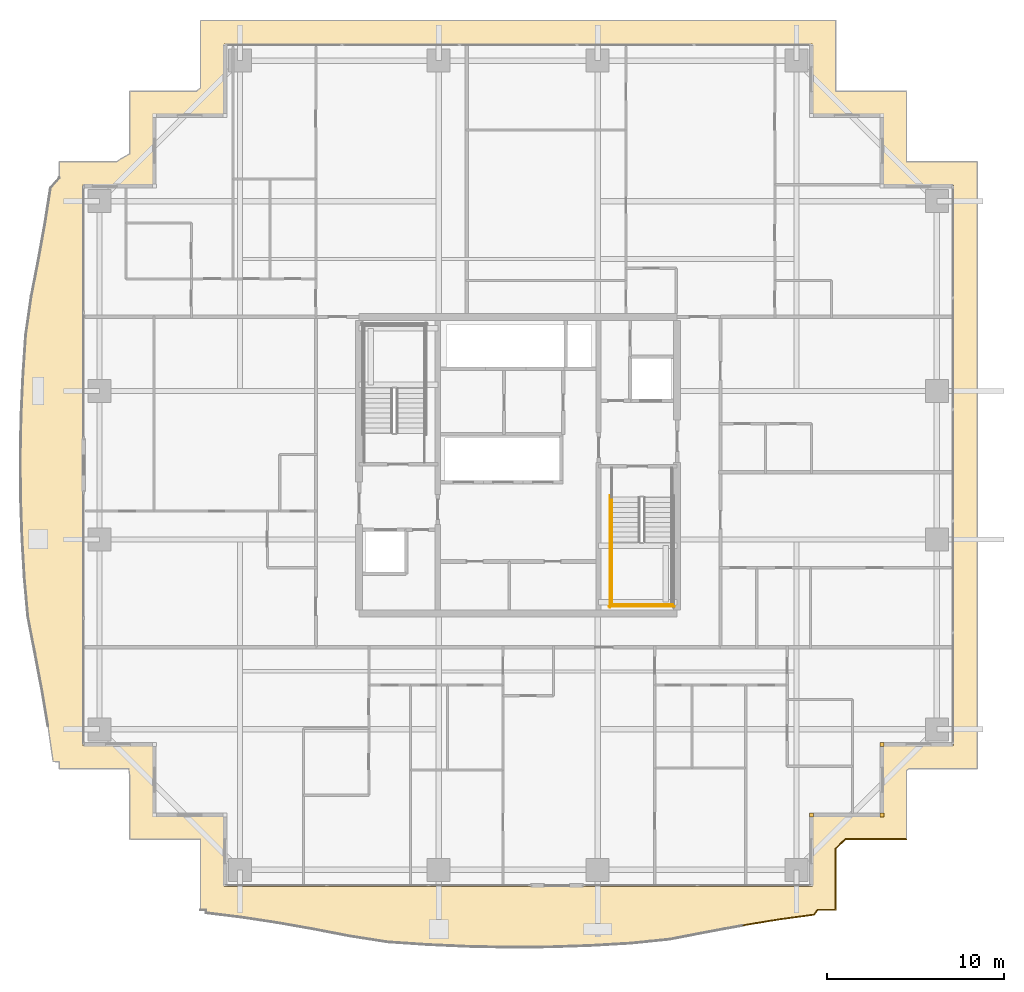
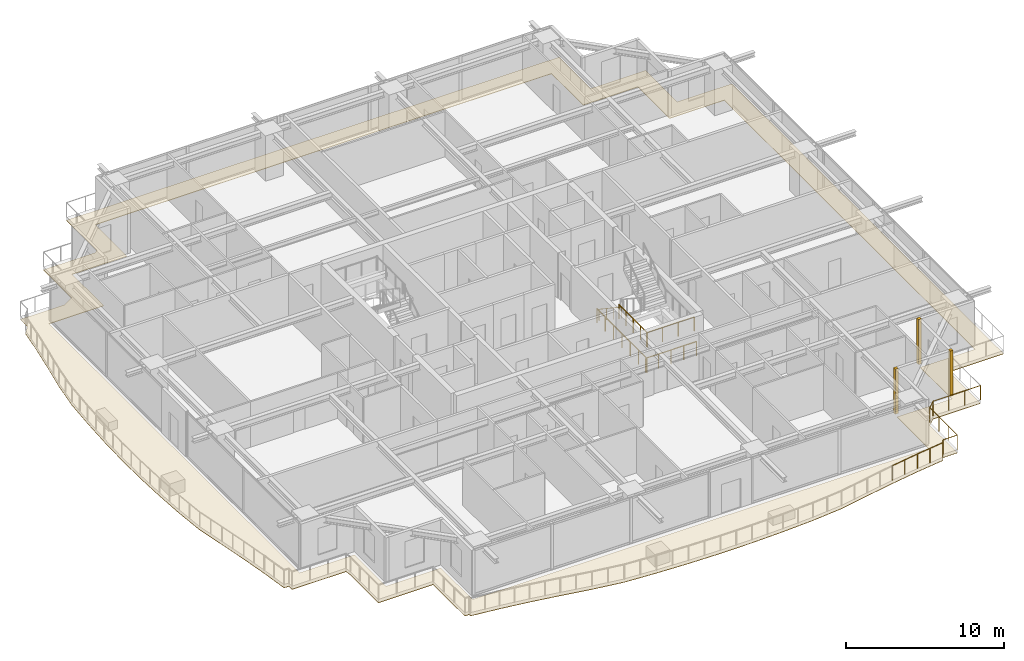
# One storey, part 32 of 34: 6 railings, 4 coverings.
"""IFC4 building model written with IfcOpenShell, lengths in metres."""

from ifc_helpers import new_model, si_unit, direction, frame, origin, origin_2d, place, context, subcontext, project, spatial, polyline, rectangle, circle, outline, extrude, source, transform, mapped, material, layer, layer_set, type_object, element, save


model = new_model("IFC4")

# Units and contexts
model_context = context("Model", 3, precision=1e-05, world=origin(), true_north=direction((0.0, 1.0)))
body_context = subcontext(model_context, "Body", "Model", "MODEL_VIEW")
ifc_project = project(units=[si_unit("LENGTHUNIT", "METRE"), si_unit("AREAUNIT", "SQUARE_METRE"), si_unit("VOLUMEUNIT", "CUBIC_METRE"), si_unit("PLANEANGLEUNIT", "RADIAN"), si_unit("MASSUNIT", "GRAM", prefix="KILO")], contexts=[model_context])

# Site, building, storey
site_placement = place(None, origin())
site = spatial("IfcSite", under=ifc_project, at=site_placement, CompositionType="ELEMENT")
building_placement = place(site_placement, origin())
building = spatial("IfcBuilding", under=site, at=building_placement, Name="Serunith Strait Residences", CompositionType="ELEMENT")
storey_placement = place(building_placement, frame((0.0, 0.0, 187.64990234375)))
storey = spatial("IfcBuildingStorey", under=building, at=storey_placement, Name="L47", CompositionType="ELEMENT", Elevation=187.64990234375)

# Covering
ifc_material_1 = material(Name="Golden Teak Exterior Timber Boarding", Category="wood")
ifc_layer_1 = layer(ifc_material_1, 0.034912109375, Name="Golden Teak Exterior Timber Boarding")
ifc_layer_set_1 = layer_set([ifc_layer_1], Name="Golden Teak Exterior Timber Boarding")
covering_type_1 = type_object("IfcCoveringType", Name="COV-TEAK-SOFFIT", PredefinedType="CEILING", material=ifc_layer_set_1)
covering_placement = place(storey_placement, frame((0.0, 0.0, -0.324951171875)))
element("IfcCovering", 1, at=covering_placement, inside=storey, type_object=covering_type_1, Name="L47 Golden-Teak Balcony Soffit Lining", PredefinedType="CEILING", context=body_context, shape_type="SweptSolid", body=[
    extrude(outline(polyline([(14.419921875, 0.02001953125), (14.419921875, 4.02001953125), (10.419921875, 4.02001953125), (10.419921875, 7.571533203125), (10.352783203125, 8.02001953125), (6.419921875, 8.02001953125), (6.419921875, 8.41259765625), (6.071533203125, 8.4326171875), (5.786376953125, 10.4326171875), (5.4453125, 12.453125), (5.0576171875, 14.51123046875), (4.648193359375, 16.626220703125), (4.44677734375, 18.855712890625), (4.31591796875, 21.128173828125), (4.23828125, 23.425537109375), (4.221923828125, 25.734619140625), (4.26806640625, 28.039794921875), (4.372314453125, 30.326904296875), (4.524658203125, 32.584228515625), (4.8408203125, 34.759765625), (5.244384765625, 36.84619140625), (5.612060546875, 38.88427734375), (5.927490234375, 40.893310546875), (6.419921875, 41.468017578125), (6.419921875, 42.3798828125), (9.64990234375, 42.3798828125), (10.419921875, 42.8388671875), (10.419921875, 46.3798828125), (14.1982421875, 46.3798828125), (14.419921875, 46.55908203125), (14.419921875, 50.3798828125), (50.3798828125, 50.3798828125), (50.3798828125, 46.3798828125), (54.3798828125, 46.3798828125), (54.3798828125, 42.3798828125), (58.3798828125, 42.3798828125), (58.3798828125, 8.02001953125), (54.51513671875, 8.02001953125), (54.3798828125, 7.921875), (54.3798828125, 4.02001953125), (50.9130859375, 4.02001953125), (50.3798828125, 3.50927734375), (50.3798828125, 0.02001953125), (49.34423828125, 0.02001953125), (49.151611328125, -0.248291015625), (47.151611328125, -0.52099609375), (45.1337890625, -0.851318359375), (43.079833984375, -1.2314453125), (40.97021484375, -1.638427734375), (38.749267578125, -1.864990234375), (36.4755859375, -1.99560546875), (34.17626953125, -2.0732421875), (31.864990234375, -2.090576171875), (29.55712890625, -2.04541015625), (27.267822265625, -1.94287109375), (25.00927734375, -1.79248046875), (22.84423828125, -1.45166015625), (20.7626953125, -1.052978515625), (18.727783203125, -0.69384765625), (16.72021484375, -0.3896484375), (14.723876953125, -0.142822265625), (14.72509765625, 0.02001953125), (14.419921875, 0.02001953125)]), holes=[polyline([(49.054931640625, 1.344970703125), (49.054931640625, 5.344970703125), (53.054931640625, 5.344970703125), (53.054931640625, 9.344970703125), (57.054931640625, 9.344970703125), (57.054931640625, 41.054931640625), (53.054931640625, 41.054931640625), (53.054931640625, 45.054931640625), (49.054931640625, 45.054931640625), (49.054931640625, 49.054931640625), (15.7451171875, 49.054931640625), (15.7451171875, 45.054931640625), (11.7451171875, 45.054931640625), (11.7451171875, 41.054931640625), (7.7451171875, 41.054931640625), (7.7451171875, 9.344970703125), (11.7451171875, 9.344970703125), (11.7451171875, 5.344970703125), (15.7451171875, 5.344970703125), (15.7451171875, 1.344970703125), (49.054931640625, 1.344970703125)])]), origin(), (0.0, 0.0, 1.0), 0.03515625),
])

# Railings
ifc_material_2 = material(Name="Stainless Steel & Laminated Glass Balustrade", Category="steel")
railing_type_1 = type_object("IfcRailingType", Name="RLG-BALC-1150", PredefinedType="BALUSTRADE", material=ifc_material_2)
railing_1_placement = place(storey_placement, frame((54.3798828125, 4.02001953125, -0.0498046875)))
element("IfcRailing", 2, at=railing_1_placement, inside=storey, type_object=railing_type_1, Name="L47 Swirling Balcony Perimeter Balustrade 6", PredefinedType="BALUSTRADE", context=body_context, shape_type="SweptSolid", body=[
    extrude(circle(Radius=0.02392578125, at=origin_2d()), frame((-0.001953125, 0.0, 1.1259765625), z_axis=(-1.0, 0.0, 0.0), x_axis=(0.0, -1.0, 0.0)), (0.0, 0.0, 1.0), 3.462890625),
    extrude(circle(Radius=0.02392578125, at=origin_2d()), frame((-3.46826171875, -0.00146484375, 1.1259765625), z_axis=(-0.722153363074, -0.691732983311, 0.0), x_axis=(0.691732983311, -0.722153363074, 0.0)), (0.0, 0.0, 1.0), 0.734375),
    extrude(circle(Radius=0.02392578125, at=origin_2d()), frame((-4.0, -0.5126953125, 1.1259765625), z_axis=(0.0, -1.0, 0.0), x_axis=(1.0, 0.0, 0.0)), (0.0, 0.0, 1.0), 3.4853515625),
    extrude(circle(Radius=0.02392578125, at=origin_2d()), frame((-4.001953125, -4.0, 1.1259765625), z_axis=(-1.0, 0.0, 0.0), x_axis=(0.0, -1.0, 0.0)), (0.0, 0.0, 1.0), 1.03173828125),
    extrude(circle(Radius=0.02392578125, at=origin_2d()), frame((-5.036865234375, -4.001708984375, 1.1259765625), z_axis=(-0.583194276691, -0.8123327124, 0.0), x_axis=(0.8123327124, -0.583194276691, 0.0)), (0.0, 0.0, 1.0), 0.326416015625),
    extrude(circle(Radius=0.02392578125, at=origin_2d()), frame((-5.230224609375, -4.2685546875, 1.1259765625), z_axis=(-0.990831640007, -0.135102409898, 0.0), x_axis=(0.135102409898, -0.990831640007, 0.0)), (0.0, 0.0, 1.0), 2.014404296875),
    extrude(circle(Radius=0.02392578125, at=origin_2d()), frame((-7.230224609375, -4.541259765625, 1.1259765625), z_axis=(-0.986864201349, -0.161551998116, 0.0), x_axis=(0.161551998116, -0.986864201349, 0.0)), (0.0, 0.0, 1.0), 2.040771484375),
    extrude(circle(Radius=0.02099609375, at=origin_2d()), origin(), (0.0, 0.0, 1.0), 1.099853515625),
    extrude(circle(Radius=0.02099609375, at=origin_2d()), frame((-1.155517578125, 0.0, 0.0)), (0.0, 0.0, 1.0), 1.099853515625),
    extrude(circle(Radius=0.02099609375, at=origin_2d()), frame((-2.311279296875, 0.0, 0.0)), (0.0, 0.0, 1.0), 1.099853515625),
    extrude(circle(Radius=0.02099609375, at=origin_2d()), frame((-3.466796875, 0.0, 0.0)), (0.0, 0.0, 1.0), 1.099853515625),
    extrude(circle(Radius=0.02099609375, at=origin_2d()), frame((-4.0, -0.5107421875, 0.0)), (0.0, 0.0, 1.0), 1.099853515625),
    extrude(circle(Radius=0.02099609375, at=origin_2d()), frame((-4.0, -1.673828125, 0.0)), (0.0, 0.0, 1.0), 1.099853515625),
    extrude(circle(Radius=0.02099609375, at=origin_2d()), frame((-4.0, -2.8369140625, 0.0)), (0.0, 0.0, 1.0), 1.099853515625),
    extrude(circle(Radius=0.02099609375, at=origin_2d()), frame((-4.0, -4.0, 0.0)), (0.0, 0.0, 1.0), 1.099853515625),
    extrude(circle(Radius=0.02099609375, at=origin_2d()), frame((-5.03564453125, -4.0, 0.0)), (0.0, 0.0, 1.0), 1.099853515625),
    extrude(circle(Radius=0.02099609375, at=origin_2d()), frame((-5.228271484375, -4.268310546875, 0.0)), (0.0, 0.0, 1.0), 1.099853515625),
    extrude(circle(Radius=0.02099609375, at=origin_2d()), frame((-6.228271484375, -4.40478515625, 0.0)), (0.0, 0.0, 1.0), 1.099853515625),
    extrude(circle(Radius=0.02099609375, at=origin_2d()), frame((-7.228271484375, -4.541015625, 0.0)), (0.0, 0.0, 1.0), 1.099853515625),
    extrude(circle(Radius=0.02099609375, at=origin_2d()), frame((-8.2373046875, -4.7060546875, 0.0)), (0.0, 0.0, 1.0), 1.099853515625),
    extrude(circle(Radius=0.02099609375, at=origin_2d()), frame((-9.24609375, -4.871337890625, 0.0)), (0.0, 0.0, 1.0), 1.099853515625),
])
ifc_material_3 = material(Name="Brushed stainless steel 316L", Category="steel")
railing_type_2 = type_object("IfcRailingType", Name="RLG-STAIR-GUARD", PredefinedType="BALUSTRADE", material=ifc_material_3)
railing_2_placement = place(storey_placement, frame((37.699951171875, 20.85009765625, 1.875)))
element("IfcRailing", 3, at=railing_2_placement, inside=storey, type_object=railing_type_2, Name="L47 ST-2 stair guard 3", PredefinedType="BALUSTRADE", context=body_context, shape_type="SweptSolid", body=[
    extrude(circle(Radius=0.02392578125, at=origin_2d()), frame((0.0, -0.001953125, 1.076171875), z_axis=(0.0, -1.0, 0.0), x_axis=(1.0, 0.0, 0.0)), (0.0, 0.0, 1.0), 3.59619140625),
    extrude(circle(Radius=0.02099609375, at=origin_2d()), origin(), (0.0, 0.0, 1.0), 1.050048828125),
    extrude(circle(Radius=0.02099609375, at=origin_2d()), frame((0.0, -0.89990234375, 0.0)), (0.0, 0.0, 1.0), 1.050048828125),
    extrude(circle(Radius=0.02099609375, at=origin_2d()), frame((0.0, -1.800048828125, 0.0)), (0.0, 0.0, 1.0), 1.050048828125),
    extrude(circle(Radius=0.02099609375, at=origin_2d()), frame((0.0, -2.7001953125, 0.0)), (0.0, 0.0, 1.0), 1.050048828125),
    extrude(circle(Radius=0.02099609375, at=origin_2d()), frame((0.0, -3.60009765625, 0.0)), (0.0, 0.0, 1.0), 1.050048828125),
])
railing_3_placement = place(storey_placement, frame((37.64990234375, 17.300048828125, 1.875)))
element("IfcRailing", 4, at=railing_3_placement, inside=storey, type_object=railing_type_2, Name="L47 ST-2 stair guard 5", PredefinedType="BALUSTRADE", context=body_context, shape_type="SweptSolid", body=[
    extrude(circle(Radius=0.02392578125, at=origin_2d()), frame((0.001953125, 0.0, 1.076171875), z_axis=(1.0, 0.0, 0.0), x_axis=(0.0, 1.0, 0.0)), (0.0, 0.0, 1.0), 3.49609375),
    extrude(circle(Radius=0.02099609375, at=origin_2d()), origin(), (0.0, 0.0, 1.0), 1.050048828125),
    extrude(circle(Radius=0.02099609375, at=origin_2d()), frame((1.166748046875, 0.0, 0.0)), (0.0, 0.0, 1.0), 1.050048828125),
    extrude(circle(Radius=0.02099609375, at=origin_2d()), frame((2.333251953125, 0.0, 0.0)), (0.0, 0.0, 1.0), 1.050048828125),
    extrude(circle(Radius=0.02099609375, at=origin_2d()), frame((3.5, 0.0, 0.0)), (0.0, 0.0, 1.0), 1.050048828125),
])
railing_4_placement = place(storey_placement, frame((37.60009765625, 23.469970703125, 0.0)))
element("IfcRailing", 5, at=railing_4_placement, inside=storey, type_object=railing_type_2, Name="L47 ST-2 stair guard 10", PredefinedType="BALUSTRADE", context=body_context, shape_type="SweptSolid", body=[
    extrude(circle(Radius=0.02392578125, at=origin_2d()), frame((0.0, -0.001953125, 1.076171875), z_axis=(0.0, -1.0, 0.0), x_axis=(1.0, 0.0, 0.0)), (0.0, 0.0, 1.0), 6.316162109375),
    extrude(circle(Radius=0.02099609375, at=origin_2d()), origin(), (0.0, 0.0, 1.0), 1.050048828125),
    extrude(circle(Radius=0.02099609375, at=origin_2d()), frame((0.0, -1.05322265625, 0.0)), (0.0, 0.0, 1.0), 1.050048828125),
    extrude(circle(Radius=0.02099609375, at=origin_2d()), frame((0.0, -2.106689453125, 0.0)), (0.0, 0.0, 1.0), 1.050048828125),
    extrude(circle(Radius=0.02099609375, at=origin_2d()), frame((0.0, -3.16015625, 0.0)), (0.0, 0.0, 1.0), 1.050048828125),
    extrude(circle(Radius=0.02099609375, at=origin_2d()), frame((0.0, -4.21337890625, 0.0)), (0.0, 0.0, 1.0), 1.050048828125),
    extrude(circle(Radius=0.02099609375, at=origin_2d()), frame((0.0, -5.2666015625, 0.0)), (0.0, 0.0, 1.0), 1.050048828125),
    extrude(circle(Radius=0.02099609375, at=origin_2d()), frame((0.0, -6.320068359375, 0.0)), (0.0, 0.0, 1.0), 1.050048828125),
])
railing_5_placement = place(storey_placement, frame((37.550048828125, 17.199951171875, 0.0)))
element("IfcRailing", 6, at=railing_5_placement, inside=storey, type_object=railing_type_2, Name="L47 ST-2 stair guard 12", PredefinedType="BALUSTRADE", context=body_context, shape_type="SweptSolid", body=[
    extrude(circle(Radius=0.02392578125, at=origin_2d()), frame((0.001953125, 0.0, 1.076171875), z_axis=(1.0, 0.0, 0.0), x_axis=(0.0, 1.0, 0.0)), (0.0, 0.0, 1.0), 3.696044921875),
    extrude(circle(Radius=0.02099609375, at=origin_2d()), origin(), (0.0, 0.0, 1.0), 1.050048828125),
    extrude(circle(Radius=0.02099609375, at=origin_2d()), frame((0.925048828125, 0.0, 0.0)), (0.0, 0.0, 1.0), 1.050048828125),
    extrude(circle(Radius=0.02099609375, at=origin_2d()), frame((1.85009765625, 0.0, 0.0)), (0.0, 0.0, 1.0), 1.050048828125),
    extrude(circle(Radius=0.02099609375, at=origin_2d()), frame((2.77490234375, 0.0, 0.0)), (0.0, 0.0, 1.0), 1.050048828125),
    extrude(circle(Radius=0.02099609375, at=origin_2d()), frame((3.699951171875, 0.0, 0.0)), (0.0, 0.0, 1.0), 1.050048828125),
])
railing_type_3 = type_object("IfcRailingType", Name="RLG-STAIR-HR", PredefinedType="HANDRAIL", material=ifc_material_3)
railing_6_placement = place(storey_placement, frame((37.699951171875, 23.3701171875, 0.1875)))
element("IfcRailing", 7, at=railing_6_placement, inside=storey, type_object=railing_type_3, Name="L47 ST-2 stair handrail 1", PredefinedType="HANDRAIL", context=body_context, shape_type="SweptSolid", body=[
    extrude(circle(Radius=0.02392578125, at=origin_2d()), frame((0.0, -0.001708984375, 0.876953125), z_axis=(0.0, -0.830208209119, 0.557453432594), x_axis=(1.0, 0.0, 0.0)), (0.0, 0.0, 1.0), 3.36865234375),
    extrude(circle(Radius=0.02099609375, at=origin_2d()), origin(), (0.0, 0.0, 1.0), 0.849853515625),
    extrude(circle(Radius=0.02099609375, at=origin_2d()), frame((0.0, -0.933349609375, 0.626708984375)), (0.0, 0.0, 1.0), 0.849853515625),
    extrude(circle(Radius=0.02099609375, at=origin_2d()), frame((0.0, -1.86669921875, 1.25341796875)), (0.0, 0.0, 1.0), 0.849853515625),
    extrude(circle(Radius=0.02099609375, at=origin_2d()), frame((0.0, -2.800048828125, 1.880126953125)), (0.0, 0.0, 1.0), 0.849853515625),
])

# Coverings
ifc_material_4 = material(Name="Pale-Champagne Anodised Aluminium", Category="aluminium")
ifc_layer_2 = layer(ifc_material_4, 0.219970703125, Name="Pale-Champagne Anodised Aluminium")
ifc_layer_set_2 = layer_set([ifc_layer_2], Name="Pale-Champagne Anodised Aluminium")
covering_type_2 = type_object("IfcCoveringType", Name="COV-CORN-TRIM", PredefinedType="CLADDING", material=ifc_layer_set_2)
shared_shape = source(origin(), body_context, "Body", "SweptSolid", [
    extrude(rectangle(XDim=0.221923828125, YDim=0.221923828125, at=origin_2d()), origin(), (0.0, 0.0, 1.0), 3.47509765625),
])
for number, where, z_axis, x_axis, name in (
    (8, (49.0, 5.39990234375, 0.0), (0.0, 0.0, 1.0), (1.0, 0.0, 0.0), "L47 Girih Serrated Corner Trim Post 02"),
    (9, (53.0, 5.39990234375, 0.0), (0.0, 0.0, 1.0), (1.0, 0.0, 0.0), "L47 Girih Serrated Corner Trim Post 03"),
    (10, (53.0, 9.39990234375, 0.0), (0.0, 0.0, 1.0), (1.0, 0.0, 0.0), "L47 Girih Serrated Corner Trim Post 04"),
):
    element("IfcCovering", number, at=place(storey_placement, frame(where, z_axis=z_axis, x_axis=x_axis)), inside=storey, type_object=covering_type_2, Name=name, PredefinedType="CLADDING", context=body_context, shape_type="MappedRepresentation", body=[
        mapped(shared_shape, transform((0.0, 0.0, 0.0), scale=1.0)),
    ])

save(model, "model.ifc")
